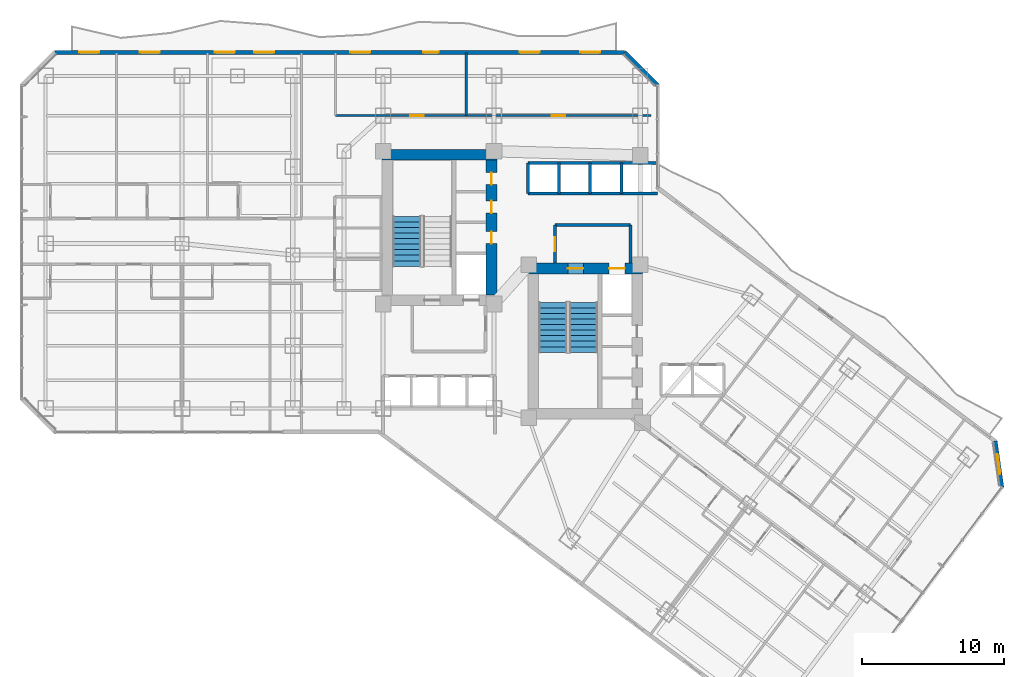
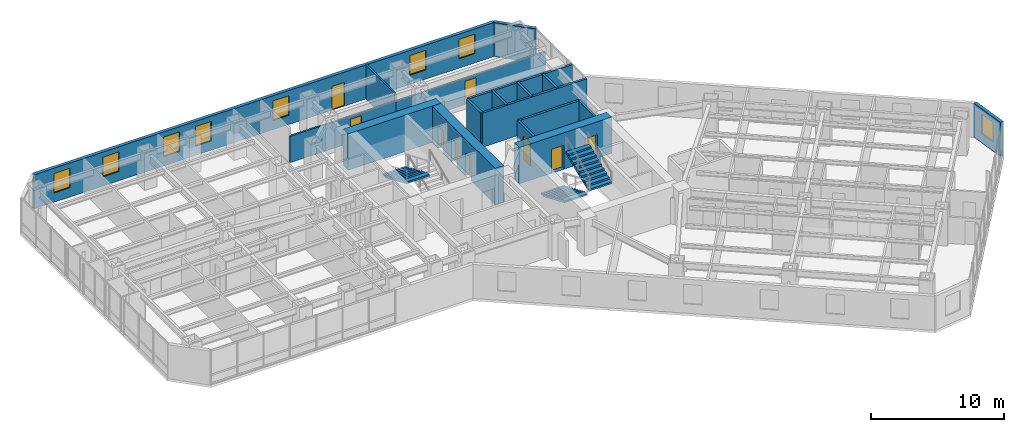
# One storey, part 27 of 37: 18 walls, 9 doors, 8 windows, 3 stair flights, 17 openings, 2 elements without a shape of their own.
"""IFC4 building model written with IfcOpenShell, lengths in metres."""

from ifc_helpers import new_model, si_unit, direction, frame, frame_2d, origin, place, context, subcontext, project, spatial, polyline, rectangle, outline, extrude, material, layer, layer_set, type_object, element, fill, aggregate, save


model = new_model("IFC4")

# Units and contexts
model_context = context("Model", 3, precision=1e-05, world=origin(), true_north=direction((0.0, 1.0)))
body_context = subcontext(model_context, "Body", "Model", "MODEL_VIEW")
ifc_project = project(units=[si_unit("LENGTHUNIT", "METRE"), si_unit("AREAUNIT", "SQUARE_METRE"), si_unit("VOLUMEUNIT", "CUBIC_METRE"), si_unit("PLANEANGLEUNIT", "RADIAN"), si_unit("MASSUNIT", "GRAM", prefix="KILO")], contexts=[model_context])

# Site, building, storey
site_placement = place(None, origin())
site = spatial("IfcSite", under=ifc_project, at=site_placement, CompositionType="ELEMENT")
building_placement = place(site_placement, origin())
building = spatial("IfcBuilding", under=site, at=building_placement, Name="Hatsunagi Terrace Concourse", CompositionType="ELEMENT")
storey_placement = place(building_placement, frame((0.0, 0.0, 50.0)))
storey = spatial("IfcBuildingStorey", under=building, at=storey_placement, Name="L12", CompositionType="ELEMENT", Elevation=50.0)

# Wall
ifc_material_1 = material(Name="Concrete Fc60", Category="concrete")
ifc_layer_1 = layer(ifc_material_1, 0.75)
ifc_layer_set_1 = layer_set([ifc_layer_1], Name="CoreShearWall_Fc60_750")
wall_type_1 = type_object("IfcWallType", Name="CoreShearWall_Fc60_750", PredefinedType="SHEAR", material=ifc_layer_set_1)
wall_1_placement = place(storey_placement, frame((25.469970703125, 43.044921875, 0.0), z_axis=(0.0, 0.0, 1.0), x_axis=(1.0, 0.0, 0.0)))
element("IfcWall", 1, at=wall_1_placement, inside=storey, type_object=wall_type_1, Name="Core A Shear Wall N L12", PredefinedType="SHEAR", context=body_context, shape_type="SweptSolid", body=[
    extrude(rectangle(XDim=8.080078125, YDim=0.75, at=frame_2d((4.0400390625, 0.0))), origin(), (0.0, 0.0, 1.0), 3.35009765625),
])

# Wall, openings, doors
wall_2_placement = place(storey_placement, frame((33.175048828125, 33.18994140625, 0.0), z_axis=(0.0, 0.0, 1.0), x_axis=(0.0, 1.0, 0.0)))
wall_2 = element("IfcWall", 2, at=wall_2_placement, inside=storey, type_object=wall_type_1, Name="Core A Shear Wall E L12", PredefinedType="SHEAR", context=body_context, shape_type="SweptSolid", body=[
    extrude(rectangle(XDim=9.47998046875, YDim=0.75, at=frame_2d((4.739990234375, 0.0))), origin(), (0.0, 0.0, 1.0), 3.35009765625),
])
opening_1_placement = place(wall_2_placement, frame((3.610107421875, 0.0, 0.0)))
opening_1 = element("IfcOpeningElement", 3, at=opening_1_placement, cuts=wall_2, Name="Opening DR-085", PredefinedType="OPENING", context=body_context, shape_type="SweptSolid", body=[
    extrude(rectangle(XDim=0.85009765625, YDim=2.080078125, at=frame_2d((0.425048828125, 1.0400390625))), frame((0.0, 0.385009765625, 0.0), z_axis=(0.0, -1.0, 0.0), x_axis=(1.0, 0.0, 0.0)), (0.0, 0.0, 1.0), 0.77001953125),
])
opening_2_placement = place(wall_2_placement, frame((5.760009765625, 0.0, 0.0)))
opening_2 = element("IfcOpeningElement", 4, at=opening_2_placement, cuts=wall_2, Name="Opening DR-085", PredefinedType="OPENING", context=body_context, shape_type="SweptSolid", body=[
    extrude(rectangle(XDim=0.85009765625, YDim=2.080078125, at=frame_2d((0.425048828125, 1.0400390625))), frame((0.0, 0.385009765625, 0.0), z_axis=(0.0, -1.0, 0.0), x_axis=(1.0, 0.0, 0.0)), (0.0, 0.0, 1.0), 0.77001953125),
])
opening_3_placement = place(wall_2_placement, frame((7.760009765625, 0.0, 0.0)))
opening_3 = element("IfcOpeningElement", 5, at=opening_3_placement, cuts=wall_2, Name="Opening DR-085", PredefinedType="OPENING", context=body_context, shape_type="SweptSolid", body=[
    extrude(rectangle(XDim=0.85009765625, YDim=2.080078125, at=frame_2d((0.425048828125, 1.0400390625))), frame((0.0, 0.385009765625, 0.0), z_axis=(0.0, -1.0, 0.0), x_axis=(1.0, 0.0, 0.0)), (0.0, 0.0, 1.0), 0.77001953125),
])
ifc_material_2 = material(Name="Painted steel", Category="steel")
door_type_1 = type_object("IfcDoorType", Name="RiserAccessDoor_EI60_850", OperationType="NOTDEFINED", PredefinedType="DOOR", material=ifc_material_2)
door_1_placement = place(opening_1_placement, origin())
door_1 = element("IfcDoor", 6, at=door_1_placement, inside=storey, type_object=door_type_1, Name="Core A Riser Door L12-1", OperationType="SINGLE_SWING_LEFT", OverallHeight=2.080078125, OverallWidth=0.85009765625, PredefinedType="DOOR", context=body_context, shape_type="SweptSolid", body=[
    extrude(rectangle(XDim=0.85009765625, YDim=2.080078125, at=frame_2d((0.425048828125, 1.0400390625))), frame((0.0, 0.02490234375, 0.0), z_axis=(0.0, -1.0, 0.0), x_axis=(1.0, 0.0, 0.0)), (0.0, 0.0, 1.0), 0.050048828125),
])
fill(opening_1, door_1)
door_2_placement = place(opening_2_placement, origin())
door_2 = element("IfcDoor", 7, at=door_2_placement, inside=storey, type_object=door_type_1, Name="Core A Riser Door L12-2", OperationType="SINGLE_SWING_LEFT", OverallHeight=2.080078125, OverallWidth=0.85009765625, PredefinedType="DOOR", context=body_context, shape_type="SweptSolid", body=[
    extrude(rectangle(XDim=0.85009765625, YDim=2.080078125, at=frame_2d((0.425048828125, 1.0400390625))), frame((0.0, 0.02490234375, 0.0), z_axis=(0.0, -1.0, 0.0), x_axis=(1.0, 0.0, 0.0)), (0.0, 0.0, 1.0), 0.050048828125),
])
fill(opening_2, door_2)
door_3_placement = place(opening_3_placement, origin())
door_3 = element("IfcDoor", 8, at=door_3_placement, inside=storey, type_object=door_type_1, Name="Core A Riser Door L12-3", OperationType="SINGLE_SWING_LEFT", OverallHeight=2.080078125, OverallWidth=0.85009765625, PredefinedType="DOOR", context=body_context, shape_type="SweptSolid", body=[
    extrude(rectangle(XDim=0.85009765625, YDim=2.080078125, at=frame_2d((0.425048828125, 1.0400390625))), frame((0.0, 0.02490234375, 0.0), z_axis=(0.0, -1.0, 0.0), x_axis=(1.0, 0.0, 0.0)), (0.0, 0.0, 1.0), 0.050048828125),
])
fill(opening_3, door_3)

wall_3_placement = place(storey_placement, frame((35.739990234375, 35.044921875, 0.0), z_axis=(0.0, 0.0, 1.0), x_axis=(1.0, 0.0, 0.0)))
wall_3 = element("IfcWall", 9, at=wall_3_placement, inside=storey, type_object=wall_type_1, Name="Core B Shear Wall N L12", PredefinedType="SHEAR", context=body_context, shape_type="SweptSolid", body=[
    extrude(rectangle(XDim=8.06005859375, YDim=0.75, at=frame_2d((4.030029296875, 0.0))), origin(), (0.0, 0.0, 1.0), 3.35009765625),
])
opening_4_placement = place(wall_3_placement, frame((2.81005859375, 0.0, 0.0)))
opening_4 = element("IfcOpeningElement", 10, at=opening_4_placement, cuts=wall_3, Name="Opening DR-110S", PredefinedType="OPENING", context=body_context, shape_type="SweptSolid", body=[
    extrude(rectangle(XDim=1.10009765625, YDim=2.199951171875, at=frame_2d((0.550048828125, 1.10009765625))), frame((0.0, 0.385009765625, 0.0), z_axis=(0.0, -1.0, 0.0), x_axis=(1.0, 0.0, 0.0)), (0.0, 0.0, 1.0), 0.77001953125),
])
opening_5_placement = place(wall_3_placement, frame((5.7099609375, 0.0, 0.0)))
opening_5 = element("IfcOpeningElement", 11, at=opening_5_placement, cuts=wall_3, Name="Opening LD-02", PredefinedType="OPENING", context=body_context, shape_type="SweptSolid", body=[
    extrude(rectangle(XDim=1.1201171875, YDim=2.14990234375, at=frame_2d((0.56005859375, 1.074951171875))), frame((0.0, 0.385009765625, 0.0), z_axis=(0.0, -1.0, 0.0), x_axis=(1.0, 0.0, 0.0)), (0.0, 0.0, 1.0), 0.77001953125),
])
ifc_material_3 = material(Name="Stainless steel", Category="steel")
door_type_2 = type_object("IfcDoorType", Name="LiftLandingDoor_LD02", OperationType="SLIDING_TO_RIGHT", PredefinedType="USERDEFINED", material=ifc_material_3)
door_4_placement = place(opening_5_placement, origin())
door_4 = element("IfcDoor", 12, at=door_4_placement, inside=storey, type_object=door_type_2, Name="Lift landing door FF-02 L12", ObjectType="SLIDING_LANDING_DOOR", OperationType="SLIDING_TO_RIGHT", OverallHeight=2.14990234375, OverallWidth=1.1201171875, PredefinedType="USERDEFINED", context=body_context, shape_type="SweptSolid", body=[
    extrude(rectangle(XDim=1.1201171875, YDim=2.14990234375, at=frame_2d((0.56005859375, 1.074951171875))), frame((0.0, 0.02490234375, 0.0), z_axis=(0.0, -1.0, 0.0), x_axis=(1.0, 0.0, 0.0)), (0.0, 0.0, 1.0), 0.050048828125),
])
fill(opening_5, door_4)
ifc_material_4 = material(Name="Painted steel", Category="steel")
door_type_3 = type_object("IfcDoorType", Name="StairFireDoor_EI60_1100", OperationType="NOTDEFINED", PredefinedType="DOOR", material=ifc_material_4)
door_5_placement = place(opening_4_placement, origin())
door_5 = element("IfcDoor", 13, at=door_5_placement, inside=storey, type_object=door_type_3, Name="Stair ST-B Exit Door L12", OperationType="SINGLE_SWING_RIGHT", OverallHeight=2.199951171875, OverallWidth=1.10009765625, PredefinedType="DOOR", context=body_context, shape_type="SweptSolid", body=[
    extrude(rectangle(XDim=1.10009765625, YDim=2.199951171875, at=frame_2d((0.550048828125, 1.10009765625))), frame((0.0, 0.02490234375, 0.0), z_axis=(0.0, -1.0, 0.0), x_axis=(1.0, 0.0, 0.0)), (0.0, 0.0, 1.0), 0.050048828125),
])
fill(opening_4, door_5)

# Wall, opening, door
ifc_material_5 = material(Name="Acoustic mineral board", Category="gypsum")
ifc_layer_2 = layer(ifc_material_5, 0.14990234375)
ifc_layer_set_2 = layer_set([ifc_layer_2], Name="PartitionWall_EI60_150")
wall_type_2 = type_object("IfcWallType", Name="PartitionWall_EI60_150", PredefinedType="PARTITIONING", material=ifc_layer_set_2)
wall_4_placement = place(storey_placement, frame((22.199951171875, 45.800048828125, 0.0), z_axis=(0.0, 0.0, 1.0), x_axis=(1.0, 0.0, 0.0)))
wall_4 = element("IfcWall", 14, at=wall_4_placement, inside=storey, type_object=wall_type_2, Name="Interior Partition IW-L12-039", PredefinedType="PARTITIONING", context=body_context, shape_type="SweptSolid", body=[
    extrude(rectangle(XDim=9.199951171875, YDim=0.14990234375, at=frame_2d((4.60009765625, 0.0))), origin(), (0.0, 0.0, 1.0), 2.425048828125),
])
opening_6_placement = place(wall_4_placement, frame((5.248046875, 0.0, 0.0)))
opening_6 = element("IfcOpeningElement", 15, at=opening_6_placement, cuts=wall_4, Name="Opening DR-095", PredefinedType="OPENING", context=body_context, shape_type="SweptSolid", body=[
    extrude(rectangle(XDim=0.949951171875, YDim=2.14990234375, at=frame_2d((0.47509765625, 1.074951171875))), frame((0.0, 0.0849609375, 0.0), z_axis=(0.0, -1.0, 0.0), x_axis=(1.0, 0.0, 0.0)), (0.0, 0.0, 1.0), 0.169921875),
])
ifc_material_6 = material(Name="Hardwood timber", Category="wood")
door_type_4 = type_object("IfcDoorType", Name="InteriorSuiteDoor_EI30_950", OperationType="NOTDEFINED", PredefinedType="DOOR", material=ifc_material_6)
door_6_placement = place(opening_6_placement, origin())
door_6 = element("IfcDoor", 16, at=door_6_placement, inside=storey, type_object=door_type_4, Name="Housekeeping Linen Room L12-HLIN Door", OperationType="SINGLE_SWING_LEFT", OverallHeight=2.14990234375, OverallWidth=0.949951171875, PredefinedType="DOOR", context=body_context, shape_type="SweptSolid", body=[
    extrude(rectangle(XDim=0.949951171875, YDim=2.14990234375, at=frame_2d((0.47509765625, 1.074951171875))), frame((0.0, 0.02490234375, 0.0), z_axis=(0.0, -1.0, 0.0), x_axis=(1.0, 0.0, 0.0)), (0.0, 0.0, 1.0), 0.050048828125),
])
fill(opening_6, door_6)

# Wall
wall_5_placement = place(storey_placement, frame((31.39990234375, 45.800048828125, 0.0), z_axis=(0.0, 0.0, 1.0), x_axis=(0.0, 1.0, 0.0)))
element("IfcWall", 17, at=wall_5_placement, inside=storey, type_object=wall_type_2, Name="Interior Partition IW-L12-041", PredefinedType="PARTITIONING", context=body_context, shape_type="SweptSolid", body=[
    extrude(rectangle(XDim=4.39990234375, YDim=0.14990234375, at=frame_2d((2.199951171875, 0.0))), origin(), (0.0, 0.0, 1.0), 3.1298828125),
])

# Wall, opening, door
wall_6_placement = place(storey_placement, frame((31.39990234375, 45.800048828125, 0.0), z_axis=(0.0, 0.0, 1.0), x_axis=(1.0, 0.0, 0.0)))
wall_6 = element("IfcWall", 18, at=wall_6_placement, inside=storey, type_object=wall_type_2, Name="Interior Partition IW-L12-042", PredefinedType="PARTITIONING", context=body_context, shape_type="SweptSolid", body=[
    extrude(rectangle(XDim=13.0, YDim=0.14990234375, at=frame_2d((6.5, 0.0))), origin(), (0.0, 0.0, 1.0), 2.425048828125),
])
opening_7_placement = place(wall_6_placement, frame((6.02490234375, 0.0, 0.0)))
opening_7 = element("IfcOpeningElement", 19, at=opening_7_placement, cuts=wall_6, Name="Opening DR-095", PredefinedType="OPENING", context=body_context, shape_type="SweptSolid", body=[
    extrude(rectangle(XDim=0.949951171875, YDim=2.14990234375, at=frame_2d((0.47509765625, 1.074951171875))), frame((0.0, 0.0849609375, 0.0), z_axis=(0.0, -1.0, 0.0), x_axis=(1.0, 0.0, 0.0)), (0.0, 0.0, 1.0), 0.169921875),
])
door_7_placement = place(opening_7_placement, origin())
door_7 = element("IfcDoor", 20, at=door_7_placement, inside=storey, type_object=door_type_4, Name="VIP Lounge L12-HLNG Door", OperationType="SINGLE_SWING_LEFT", OverallHeight=2.14990234375, OverallWidth=0.949951171875, PredefinedType="DOOR", context=body_context, shape_type="SweptSolid", body=[
    extrude(rectangle(XDim=0.949951171875, YDim=2.14990234375, at=frame_2d((0.47509765625, 1.074951171875))), frame((0.0, 0.02490234375, 0.0), z_axis=(0.0, -1.0, 0.0), x_axis=(1.0, 0.0, 0.0)), (0.0, 0.0, 1.0), 0.050048828125),
])
fill(opening_7, door_7)

# Walls
ifc_material_7 = material(Name="Acoustic mineral board", Category="gypsum")
ifc_layer_3 = layer(ifc_material_7, 0.199951171875)
ifc_layer_set_3 = layer_set([ifc_layer_3], Name="ShaftWall_EI120_200")
wall_type_3 = type_object("IfcWallType", Name="ShaftWall_EI120_200", PredefinedType="STANDARD", material=ifc_layer_set_3)
wall_7_placement = place(storey_placement, frame((37.64990234375, 38.10009765625, 0.0), z_axis=(0.0, 0.0, 1.0), x_axis=(1.0, 0.0, 0.0)))
element("IfcWall", 21, at=wall_7_placement, inside=storey, type_object=wall_type_3, Name="Interior Partition IW-L12-010", PredefinedType="STANDARD", context=body_context, shape_type="SweptSolid", body=[
    extrude(rectangle(XDim=5.300048828125, YDim=0.199951171875, at=frame_2d((2.64990234375, 0.0))), origin(), (0.0, 0.0, 1.0), 3.1298828125),
])
wall_8_placement = place(storey_placement, frame((42.949951171875, 35.419921875, 0.0), z_axis=(0.0, 0.0, 1.0), x_axis=(0.0, 1.0, 0.0)))
element("IfcWall", 22, at=wall_8_placement, inside=storey, type_object=wall_type_3, Name="Interior Partition IW-L12-011", PredefinedType="STANDARD", context=body_context, shape_type="SweptSolid", body=[
    extrude(rectangle(XDim=2.68017578125, YDim=0.199951171875, at=frame_2d((1.340087890625, 0.0))), origin(), (0.0, 0.0, 1.0), 3.1298828125),
])

# Wall, opening, door
wall_9_placement = place(storey_placement, frame((37.64990234375, 35.419921875, 0.0), z_axis=(0.0, 0.0, 1.0), x_axis=(0.0, 1.0, 0.0)))
wall_9 = element("IfcWall", 23, at=wall_9_placement, inside=storey, type_object=wall_type_3, Name="Interior Partition IW-L12-012", PredefinedType="STANDARD", context=body_context, shape_type="SweptSolid", body=[
    extrude(rectangle(XDim=2.68017578125, YDim=0.199951171875, at=frame_2d((1.340087890625, 0.0))), origin(), (0.0, 0.0, 1.0), 3.1298828125),
])
opening_8_placement = place(wall_9_placement, frame((0.840087890625, 0.0, 0.0)))
opening_8 = element("IfcOpeningElement", 24, at=opening_8_placement, cuts=wall_9, Name="Opening DR-100F", PredefinedType="OPENING", context=body_context, shape_type="SweptSolid", body=[
    extrude(rectangle(XDim=1.0, YDim=2.199951171875, at=frame_2d((0.5, 1.10009765625))), frame((0.0, 0.10986328125, 0.0), z_axis=(0.0, -1.0, 0.0), x_axis=(1.0, 0.0, 0.0)), (0.0, 0.0, 1.0), 0.219970703125),
])
ifc_material_8 = material(Name="Painted steel", Category="steel")
door_type_5 = type_object("IfcDoorType", Name="FireDoor_EI60_1000", OperationType="NOTDEFINED", PredefinedType="DOOR", material=ifc_material_8)
door_8_placement = place(opening_8_placement, origin())
door_8 = element("IfcDoor", 25, at=door_8_placement, inside=storey, type_object=door_type_5, Name="Firefighting Lobby B Door L12", OperationType="SINGLE_SWING_RIGHT", OverallHeight=2.199951171875, OverallWidth=1.0, PredefinedType="DOOR", context=body_context, shape_type="SweptSolid", body=[
    extrude(rectangle(XDim=1.0, YDim=2.199951171875, at=frame_2d((0.5, 1.10009765625))), frame((0.0, 0.02490234375, 0.0), z_axis=(0.0, -1.0, 0.0), x_axis=(1.0, 0.0, 0.0)), (0.0, 0.0, 1.0), 0.050048828125),
])
fill(opening_8, door_8)

# Walls
wall_10_placement = place(storey_placement, frame((35.75, 42.47998046875, 0.0), z_axis=(0.0, 0.0, 1.0), x_axis=(1.0, 0.0, 0.0)))
element("IfcWall", 26, at=wall_10_placement, inside=storey, type_object=wall_type_3, Name="Interior Partition IW-L12-020", PredefinedType="STANDARD", context=body_context, shape_type="SweptSolid", body=[
    extrude(rectangle(XDim=9.110107421875, YDim=0.199951171875, at=frame_2d((4.55517578125, 0.0))), origin(), (0.0, 0.0, 1.0), 3.1298828125),
])
for number, where, z_axis, x_axis, name in (
    (27, (35.75, 40.320068359375, 0.0), (0.0, 0.0, 1.0), (0.0, 1.0, 0.0), "Interior Partition IW-L12-021"),
    (28, (37.919921875, 40.320068359375, 0.0), (0.0, 0.0, 1.0), (0.0, 1.0, 0.0), "Interior Partition IW-L12-022"),
    (29, (40.1201171875, 40.320068359375, 0.0), (0.0, 0.0, 1.0), (0.0, 1.0, 0.0), "Interior Partition IW-L12-023"),
    (30, (42.320068359375, 40.320068359375, 0.0), (0.0, 0.0, 1.0), (0.0, 1.0, 0.0), "Interior Partition IW-L12-024"),
):
    element("IfcWall", number, at=place(storey_placement, frame(where, z_axis=z_axis, x_axis=x_axis)), inside=storey, type_object=wall_type_3, Name=name, PredefinedType="STANDARD", context=body_context, shape_type="SweptSolid", body=[
        extrude(rectangle(XDim=2.159912109375, YDim=0.199951171875, at=frame_2d((1.080078125, 0.0))), origin(), (0.0, 0.0, 1.0), 3.1298828125),
    ])
wall_11_placement = place(storey_placement, frame((35.75, 40.320068359375, 0.0), z_axis=(0.0, 0.0, 1.0), x_axis=(1.0, 0.0, 0.0)))
element("IfcWall", 31, at=wall_11_placement, inside=storey, type_object=wall_type_3, Name="Interior Partition IW-L12-025", PredefinedType="STANDARD", context=body_context, shape_type="SweptSolid", body=[
    extrude(rectangle(XDim=9.110107421875, YDim=0.199951171875, at=frame_2d((4.55517578125, 0.0))), origin(), (0.0, 0.0, 1.0), 3.1298828125),
])

# Wall, opening, window
ifc_material_9 = material(Name="Autoclaved Lightweight Concrete and Terracotta Cladding", Category="masonry")
ifc_layer_4 = layer(ifc_material_9, 0.280029296875)
ifc_layer_set_4 = layer_set([ifc_layer_4], Name="TerracottaSpandrelWall_280")
wall_type_4 = type_object("IfcWallType", Name="TerracottaSpandrelWall_280", PredefinedType="STANDARD", material=ifc_layer_set_4)
wall_12_placement = place(storey_placement, frame((68.6298828125, 22.903076171875, 0.0), z_axis=(0.0, 0.0, 1.0), x_axis=(0.141285803956, -0.989968848803, 0.0)))
wall_12 = element("IfcWall", 32, at=wall_12_placement, inside=storey, type_object=wall_type_4, Name="Exterior Spandrel Wall EW-L12-02", PredefinedType="STANDARD", context=body_context, shape_type="SweptSolid", body=[
    extrude(rectangle(XDim=3.278076171875, YDim=0.280029296875, at=frame_2d((1.63916015625, 0.0))), origin(), (0.0, 0.0, 1.0), 3.1298828125),
])
opening_9_placement = place(wall_12_placement, frame((0.93896484375, 0.0, 0.85009765625)))
opening_9 = element("IfcOpeningElement", 33, at=opening_9_placement, cuts=wall_12, Name="Opening WIN-02", PredefinedType="OPENING", context=body_context, shape_type="SweptSolid", body=[
    extrude(rectangle(XDim=1.39990234375, YDim=1.800048828125, at=frame_2d((0.699951171875, 0.89990234375))), frame((0.0, 0.14990234375, 0.0), z_axis=(0.0, -1.0, 0.0), x_axis=(1.0, 0.0, 0.0)), (0.0, 0.0, 1.0), 0.300048828125),
])
ifc_material_10 = material(Name="Thermally Broken Aluminium and Low-E Triple Glazing", Category="aluminium")
window_type = type_object("IfcWindowType", Name="HotelOperableVentWindow_1400x1800", PartitioningType="DOUBLE_PANEL_VERTICAL", PredefinedType="WINDOW", material=ifc_material_10)
window_1_placement = place(opening_9_placement, origin())
window_1 = element("IfcWindow", 34, at=window_1_placement, inside=storey, type_object=window_type, Name="Hotel Guestroom Window L12-02-1", OverallHeight=1.800048828125, OverallWidth=1.39990234375, PartitioningType="SINGLE_PANEL", PredefinedType="WINDOW", context=body_context, shape_type="SweptSolid", body=[
    extrude(rectangle(XDim=1.39990234375, YDim=1.800048828125, at=frame_2d((0.699951171875, 0.89990234375))), frame((0.0, 0.030029296875, 0.0), z_axis=(0.0, -1.0, 0.0), x_axis=(1.0, 0.0, 0.0)), (0.0, 0.0, 1.0), 0.06005859375),
])
fill(opening_9, window_1)

# Wall, openings, door, windows
wall_13_placement = place(storey_placement, frame((2.4580078125, 50.260009765625, 0.0), z_axis=(0.0, 0.0, 1.0), x_axis=(1.0, 0.0, 0.0)))
wall_13 = element("IfcWall", 35, at=wall_13_placement, inside=storey, type_object=wall_type_4, Name="Exterior Spandrel Wall EW-L12-11", PredefinedType="STANDARD", context=body_context, shape_type="SweptSolid", body=[
    extrude(rectangle(XDim=40.083984375, YDim=0.280029296875, at=frame_2d((20.0419921875, 0.0))), origin(), (0.0, 0.0, 1.0), 3.1298828125),
])
opening_10_placement = place(wall_13_placement, frame((25.905029296875, 0.0, 0.0)))
opening_10 = element("IfcOpeningElement", 36, at=opening_10_placement, cuts=wall_13, Name="Opening BD-01", PredefinedType="OPENING", context=body_context, shape_type="SweptSolid", body=[
    extrude(rectangle(XDim=1.10009765625, YDim=2.199951171875, at=frame_2d((0.550048828125, 1.10009765625))), frame((0.0, 0.14990234375, 0.0), z_axis=(0.0, -1.0, 0.0), x_axis=(1.0, 0.0, 0.0)), (0.0, 0.0, 1.0), 0.300048828125),
])
opening_11_placement = place(wall_13_placement, frame((1.717041015625, 0.0, 0.85009765625)))
opening_11 = element("IfcOpeningElement", 37, at=opening_11_placement, cuts=wall_13, Name="Opening WIN-02", PredefinedType="OPENING", context=body_context, shape_type="SweptSolid", body=[
    extrude(rectangle(XDim=1.39990234375, YDim=1.800048828125, at=frame_2d((0.699951171875, 0.89990234375))), frame((0.0, 0.14990234375, 0.0), z_axis=(0.0, -1.0, 0.0), x_axis=(1.0, 0.0, 0.0)), (0.0, 0.0, 1.0), 0.300048828125),
])
opening_12_placement = place(wall_13_placement, frame((5.98095703125, 0.0, 0.85009765625)))
opening_12 = element("IfcOpeningElement", 38, at=opening_12_placement, cuts=wall_13, Name="Opening WIN-02", PredefinedType="OPENING", context=body_context, shape_type="SweptSolid", body=[
    extrude(rectangle(XDim=1.39990234375, YDim=1.800048828125, at=frame_2d((0.699951171875, 0.89990234375))), frame((0.0, 0.14990234375, 0.0), z_axis=(0.0, -1.0, 0.0), x_axis=(1.0, 0.0, 0.0)), (0.0, 0.0, 1.0), 0.300048828125),
])
opening_13_placement = place(wall_13_placement, frame((11.260986328125, 0.0, 0.85009765625)))
opening_13 = element("IfcOpeningElement", 39, at=opening_13_placement, cuts=wall_13, Name="Opening WIN-02", PredefinedType="OPENING", context=body_context, shape_type="SweptSolid", body=[
    extrude(rectangle(XDim=1.39990234375, YDim=1.800048828125, at=frame_2d((0.699951171875, 0.89990234375))), frame((0.0, 0.14990234375, 0.0), z_axis=(0.0, -1.0, 0.0), x_axis=(1.0, 0.0, 0.0)), (0.0, 0.0, 1.0), 0.300048828125),
])
opening_14_placement = place(wall_13_placement, frame((14.02001953125, 0.0, 0.85009765625)))
opening_14 = element("IfcOpeningElement", 40, at=opening_14_placement, cuts=wall_13, Name="Opening WIN-02", PredefinedType="OPENING", context=body_context, shape_type="SweptSolid", body=[
    extrude(rectangle(XDim=1.39990234375, YDim=1.800048828125, at=frame_2d((0.699951171875, 0.89990234375))), frame((0.0, 0.14990234375, 0.0), z_axis=(0.0, -1.0, 0.0), x_axis=(1.0, 0.0, 0.0)), (0.0, 0.0, 1.0), 0.300048828125),
])
opening_15_placement = place(wall_13_placement, frame((20.7890625, 0.0, 0.85009765625)))
opening_15 = element("IfcOpeningElement", 41, at=opening_15_placement, cuts=wall_13, Name="Opening WIN-02", PredefinedType="OPENING", context=body_context, shape_type="SweptSolid", body=[
    extrude(rectangle(XDim=1.39990234375, YDim=1.800048828125, at=frame_2d((0.699951171875, 0.89990234375))), frame((0.0, 0.14990234375, 0.0), z_axis=(0.0, -1.0, 0.0), x_axis=(1.0, 0.0, 0.0)), (0.0, 0.0, 1.0), 0.300048828125),
])
opening_16_placement = place(wall_13_placement, frame((32.702880859375, 0.0, 0.85009765625)))
opening_16 = element("IfcOpeningElement", 42, at=opening_16_placement, cuts=wall_13, Name="Opening WIN-02", PredefinedType="OPENING", context=body_context, shape_type="SweptSolid", body=[
    extrude(rectangle(XDim=1.39990234375, YDim=1.800048828125, at=frame_2d((0.699951171875, 0.89990234375))), frame((0.0, 0.14990234375, 0.0), z_axis=(0.0, -1.0, 0.0), x_axis=(1.0, 0.0, 0.0)), (0.0, 0.0, 1.0), 0.300048828125),
])
opening_17_placement = place(wall_13_placement, frame((36.967041015625, 0.0, 0.85009765625)))
opening_17 = element("IfcOpeningElement", 43, at=opening_17_placement, cuts=wall_13, Name="Opening WIN-02", PredefinedType="OPENING", context=body_context, shape_type="SweptSolid", body=[
    extrude(rectangle(XDim=1.39990234375, YDim=1.800048828125, at=frame_2d((0.699951171875, 0.89990234375))), frame((0.0, 0.14990234375, 0.0), z_axis=(0.0, -1.0, 0.0), x_axis=(1.0, 0.0, 0.0)), (0.0, 0.0, 1.0), 0.300048828125),
])
ifc_material_11 = material(Name="Galvanised Steel and Laminated Safety Glass", Category="steel")
door_type_6 = type_object("IfcDoorType", Name="BalconyTerraceAccessDoor_1100x2200", OperationType="SINGLE_SWING_LEFT", PredefinedType="DOOR", material=ifc_material_11)
door_9_placement = place(opening_10_placement, origin())
door_9 = element("IfcDoor", 44, at=door_9_placement, inside=storey, type_object=door_type_6, Name="Engawa Balcony Door L12-BN", OperationType="SINGLE_SWING_RIGHT", OverallHeight=2.199951171875, OverallWidth=1.10009765625, PredefinedType="DOOR", context=body_context, shape_type="SweptSolid", body=[
    extrude(rectangle(XDim=1.10009765625, YDim=2.199951171875, at=frame_2d((0.550048828125, 1.10009765625))), frame((0.0, 0.02490234375, 0.0), z_axis=(0.0, -1.0, 0.0), x_axis=(1.0, 0.0, 0.0)), (0.0, 0.0, 1.0), 0.050048828125),
])
fill(opening_10, door_9)
window_2_placement = place(opening_11_placement, origin())
window_2 = element("IfcWindow", 45, at=window_2_placement, inside=storey, type_object=window_type, Name="Balcony Daylighting Window L12-11-1", OverallHeight=1.800048828125, OverallWidth=1.39990234375, PartitioningType="SINGLE_PANEL", PredefinedType="WINDOW", context=body_context, shape_type="SweptSolid", body=[
    extrude(rectangle(XDim=1.39990234375, YDim=1.800048828125, at=frame_2d((0.699951171875, 0.89990234375))), frame((0.0, 0.030029296875, 0.0), z_axis=(0.0, -1.0, 0.0), x_axis=(1.0, 0.0, 0.0)), (0.0, 0.0, 1.0), 0.06005859375),
])
fill(opening_11, window_2)
window_3_placement = place(opening_12_placement, origin())
window_3 = element("IfcWindow", 46, at=window_3_placement, inside=storey, type_object=window_type, Name="Balcony Daylighting Window L12-11-2", OverallHeight=1.800048828125, OverallWidth=1.39990234375, PartitioningType="SINGLE_PANEL", PredefinedType="WINDOW", context=body_context, shape_type="SweptSolid", body=[
    extrude(rectangle(XDim=1.39990234375, YDim=1.800048828125, at=frame_2d((0.699951171875, 0.89990234375))), frame((0.0, 0.030029296875, 0.0), z_axis=(0.0, -1.0, 0.0), x_axis=(1.0, 0.0, 0.0)), (0.0, 0.0, 1.0), 0.06005859375),
])
fill(opening_12, window_3)
window_4_placement = place(opening_13_placement, origin())
window_4 = element("IfcWindow", 47, at=window_4_placement, inside=storey, type_object=window_type, Name="Balcony Daylighting Window L12-11-3", OverallHeight=1.800048828125, OverallWidth=1.39990234375, PartitioningType="SINGLE_PANEL", PredefinedType="WINDOW", context=body_context, shape_type="SweptSolid", body=[
    extrude(rectangle(XDim=1.39990234375, YDim=1.800048828125, at=frame_2d((0.699951171875, 0.89990234375))), frame((0.0, 0.030029296875, 0.0), z_axis=(0.0, -1.0, 0.0), x_axis=(1.0, 0.0, 0.0)), (0.0, 0.0, 1.0), 0.06005859375),
])
fill(opening_13, window_4)
window_5_placement = place(opening_14_placement, origin())
window_5 = element("IfcWindow", 48, at=window_5_placement, inside=storey, type_object=window_type, Name="Balcony Daylighting Window L12-11-4", OverallHeight=1.800048828125, OverallWidth=1.39990234375, PartitioningType="SINGLE_PANEL", PredefinedType="WINDOW", context=body_context, shape_type="SweptSolid", body=[
    extrude(rectangle(XDim=1.39990234375, YDim=1.800048828125, at=frame_2d((0.699951171875, 0.89990234375))), frame((0.0, 0.030029296875, 0.0), z_axis=(0.0, -1.0, 0.0), x_axis=(1.0, 0.0, 0.0)), (0.0, 0.0, 1.0), 0.06005859375),
])
fill(opening_14, window_5)
window_6_placement = place(opening_15_placement, origin())
window_6 = element("IfcWindow", 49, at=window_6_placement, inside=storey, type_object=window_type, Name="Balcony Daylighting Window L12-11-5", OverallHeight=1.800048828125, OverallWidth=1.39990234375, PartitioningType="SINGLE_PANEL", PredefinedType="WINDOW", context=body_context, shape_type="SweptSolid", body=[
    extrude(rectangle(XDim=1.39990234375, YDim=1.800048828125, at=frame_2d((0.699951171875, 0.89990234375))), frame((0.0, 0.030029296875, 0.0), z_axis=(0.0, -1.0, 0.0), x_axis=(1.0, 0.0, 0.0)), (0.0, 0.0, 1.0), 0.06005859375),
])
fill(opening_15, window_6)
window_7_placement = place(opening_16_placement, origin())
window_7 = element("IfcWindow", 50, at=window_7_placement, inside=storey, type_object=window_type, Name="Balcony Daylighting Window L12-11-8", OverallHeight=1.800048828125, OverallWidth=1.39990234375, PartitioningType="SINGLE_PANEL", PredefinedType="WINDOW", context=body_context, shape_type="SweptSolid", body=[
    extrude(rectangle(XDim=1.39990234375, YDim=1.800048828125, at=frame_2d((0.699951171875, 0.89990234375))), frame((0.0, 0.030029296875, 0.0), z_axis=(0.0, -1.0, 0.0), x_axis=(1.0, 0.0, 0.0)), (0.0, 0.0, 1.0), 0.06005859375),
])
fill(opening_16, window_7)
window_8_placement = place(opening_17_placement, origin())
window_8 = element("IfcWindow", 51, at=window_8_placement, inside=storey, type_object=window_type, Name="Balcony Daylighting Window L12-11-9", OverallHeight=1.800048828125, OverallWidth=1.39990234375, PartitioningType="SINGLE_PANEL", PredefinedType="WINDOW", context=body_context, shape_type="SweptSolid", body=[
    extrude(rectangle(XDim=1.39990234375, YDim=1.800048828125, at=frame_2d((0.699951171875, 0.89990234375))), frame((0.0, 0.030029296875, 0.0), z_axis=(0.0, -1.0, 0.0), x_axis=(1.0, 0.0, 0.0)), (0.0, 0.0, 1.0), 0.06005859375),
])
fill(opening_17, window_8)

# Wall
wall_14_placement = place(storey_placement, frame((42.5419921875, 50.260009765625, 0.0), z_axis=(0.0, 0.0, 1.0), x_axis=(0.707106781187, -0.707106781187, 0.0)))
element("IfcWall", 52, at=wall_14_placement, inside=storey, type_object=wall_type_4, Name="Exterior Spandrel Wall EW-L12-12", PredefinedType="STANDARD", context=body_context, shape_type="SweptSolid", body=[
    extrude(rectangle(XDim=3.2783203125, YDim=0.280029296875, at=frame_2d((1.63916015625, 0.0))), origin(), (0.0, 0.0, 1.0), 3.1298828125),
])

# Stair, stair flight
ifc_material_12 = material(Name="Concrete Fc42", Category="concrete")
stair_type = type_object("IfcStairType", Name="DoglegExitStair_Tower2000_20R_168", PredefinedType="HALF_TURN_STAIR", material=ifc_material_12)
stair_1_placement = place(storey_placement, origin())
stair_1 = element("IfcStair", 53, at=stair_1_placement, inside=storey, type_object=stair_type, Name="L12 Core A Protected Exit Stair ST-A", PredefinedType="HALF_TURN_STAIR")
ifc_material_13 = material(Name="Concrete Fc42", Category="concrete")
stair_flight_type = type_object("IfcStairFlightType", Name="DoglegStairFlight_Tower2000_20R_168", PredefinedType="STRAIGHT", material=ifc_material_13)
stair_flight_1_placement = place(storey_placement, frame((27.22998046875, 38.7099609375, 1.675048828125), z_axis=(0.0, 0.0, 1.0), x_axis=(0.0, -1.0, 0.0)))
stair_flight_1 = element("IfcStairFlight", 54, at=stair_flight_1_placement, type_object=stair_flight_type, Name="ST-A flight 2", NumberOfRisers=10, NumberOfTreads=9, PredefinedType="STRAIGHT", RiserHeight=0.1675, TreadLength=0.39, context=body_context, shape_type="SweptSolid", body=[
    extrude(outline(polyline([(0.0, 0.0), (0.0, 0.16748046875), (0.389892578125, 0.16748046875), (0.389892578125, 0.3349609375), (0.780029296875, 0.3349609375), (0.780029296875, 0.50244140625), (1.169921875, 0.50244140625), (1.169921875, 0.669921875), (1.56005859375, 0.669921875), (1.56005859375, 0.83740234375), (1.949951171875, 0.83740234375), (1.949951171875, 1.0048828125), (2.340087890625, 1.0048828125), (2.340087890625, 1.172607421875), (2.72998046875, 1.172607421875), (2.72998046875, 1.340087890625), (3.1201171875, 1.340087890625), (3.1201171875, 1.507568359375), (3.510009765625, 1.507568359375), (3.510009765625, 1.675048828125), (3.510009765625, 1.34423828125), (0.3798828125, 0.0), (0.0, 0.0)])), frame((0.0, 1.0, 0.0), z_axis=(0.0, -1.0, 0.0), x_axis=(1.0, 0.0, 0.0)), (0.0, 0.0, 1.0), 2.0),
])
aggregate(stair_1, [stair_flight_1])

# Stair, stair flights
stair_2_placement = place(storey_placement, origin())
stair_2 = element("IfcStair", 55, at=stair_2_placement, inside=storey, type_object=stair_type, Name="L12 Core B Protected Exit Stair ST-B", PredefinedType="HALF_TURN_STAIR")
stair_flight_2_placement = place(storey_placement, frame((37.5, 32.659912109375, 0.0), z_axis=(0.0, 0.0, 1.0), x_axis=(0.0, -1.0, 0.0)))
stair_flight_2 = element("IfcStairFlight", 56, at=stair_flight_2_placement, type_object=stair_flight_type, Name="ST-B flight 1", NumberOfRisers=10, NumberOfTreads=9, PredefinedType="STRAIGHT", RiserHeight=0.1675, TreadLength=0.39, context=body_context, shape_type="SweptSolid", body=[
    extrude(outline(polyline([(0.0, 0.0), (0.0, 0.16748046875), (0.389892578125, 0.16748046875), (0.389892578125, 0.3349609375), (0.780029296875, 0.3349609375), (0.780029296875, 0.50244140625), (1.169921875, 0.50244140625), (1.169921875, 0.669921875), (1.56005859375, 0.669921875), (1.56005859375, 0.83740234375), (1.949951171875, 0.83740234375), (1.949951171875, 1.0048828125), (2.340087890625, 1.0048828125), (2.340087890625, 1.172607421875), (2.72998046875, 1.172607421875), (2.72998046875, 1.340087890625), (3.1201171875, 1.340087890625), (3.1201171875, 1.507568359375), (3.510009765625, 1.507568359375), (3.510009765625, 1.675048828125), (3.510009765625, 1.34423828125), (0.3798828125, 0.0), (0.0, 0.0)])), frame((0.0, 1.0, 0.0), z_axis=(0.0, -1.0, 0.0), x_axis=(1.0, 0.0, 0.0)), (0.0, 0.0, 1.0), 2.0),
])
stair_flight_3_placement = place(storey_placement, frame((39.64990234375, 29.14990234375, 1.675048828125), z_axis=(0.0, 0.0, 1.0), x_axis=(0.0, 1.0, 0.0)))
stair_flight_3 = element("IfcStairFlight", 57, at=stair_flight_3_placement, type_object=stair_flight_type, Name="ST-B flight 2", NumberOfRisers=10, NumberOfTreads=9, PredefinedType="STRAIGHT", RiserHeight=0.1675, TreadLength=0.39, context=body_context, shape_type="SweptSolid", body=[
    extrude(outline(polyline([(0.0, 0.0), (0.0, 0.16748046875), (0.389892578125, 0.16748046875), (0.389892578125, 0.3349609375), (0.780029296875, 0.3349609375), (0.780029296875, 0.50244140625), (1.169921875, 0.50244140625), (1.169921875, 0.669921875), (1.56005859375, 0.669921875), (1.56005859375, 0.83740234375), (1.949951171875, 0.83740234375), (1.949951171875, 1.0048828125), (2.340087890625, 1.0048828125), (2.340087890625, 1.172607421875), (2.72998046875, 1.172607421875), (2.72998046875, 1.340087890625), (3.1201171875, 1.340087890625), (3.1201171875, 1.507568359375), (3.510009765625, 1.507568359375), (3.510009765625, 1.675048828125), (3.510009765625, 1.34423828125), (0.3798828125, 0.0), (0.0, 0.0)])), frame((0.0, 1.0, 0.0), z_axis=(0.0, -1.0, 0.0), x_axis=(1.0, 0.0, 0.0)), (0.0, 0.0, 1.0), 2.0),
])
aggregate(stair_2, [stair_flight_2, stair_flight_3])

save(model, "model.ifc")
